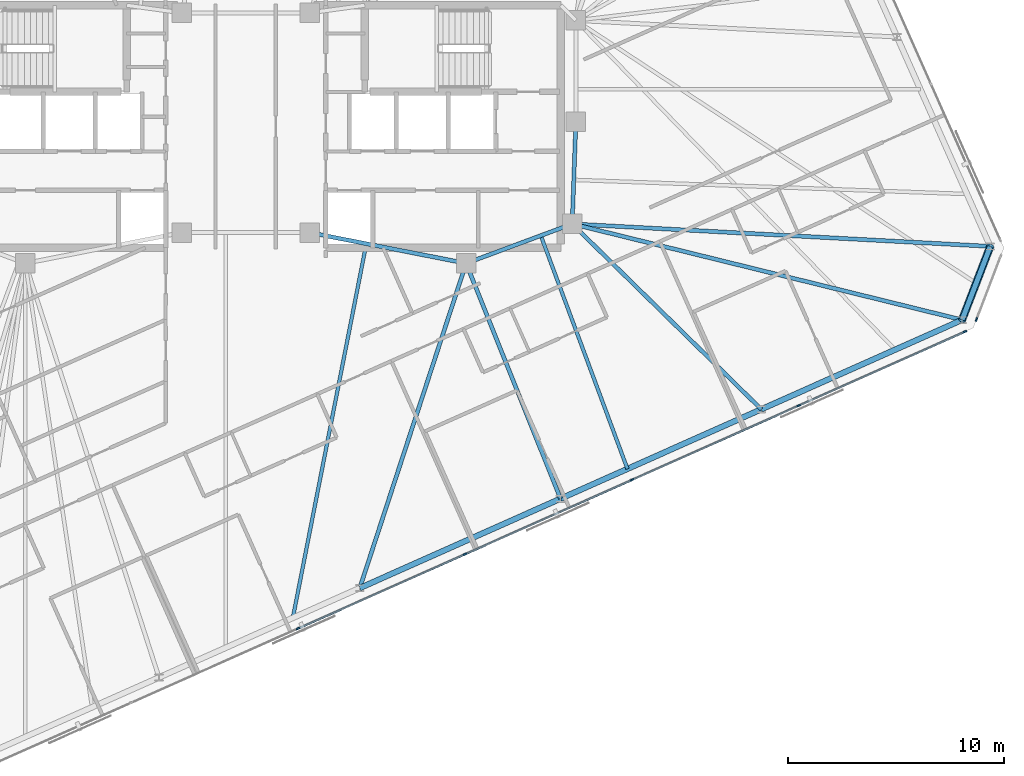
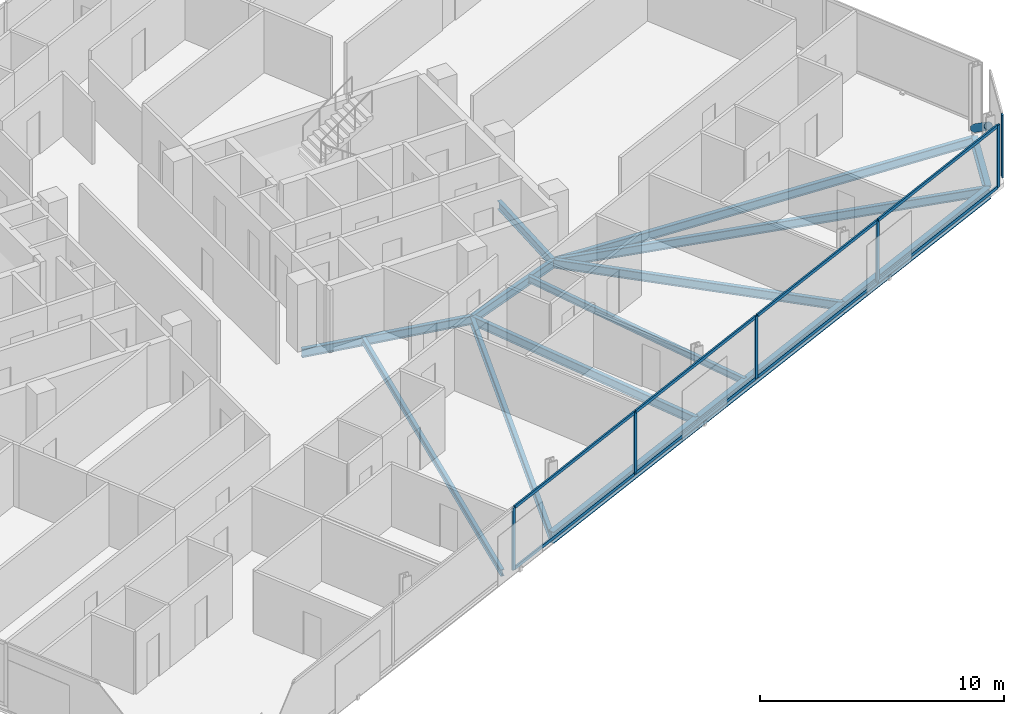
# One storey, part 7 of 19: 15 members, 14 beams, 2 elements without a shape of their own.
"""IFC4 building model written with IfcOpenShell, lengths in metres."""

from ifc_helpers import new_model, si_unit, direction, frame, origin, origin_2d, place, context, subcontext, project, spatial, rectangle, hollow_circle, i_section, extrude, material, material_profile, profile_set, type_object, element, aggregate, save


model = new_model("IFC4")

# Units and contexts
model_context = context("Model", 3, precision=1e-05, world=origin(), true_north=direction((0.0, 1.0)))
body_context = subcontext(model_context, "Body", "Model", "MODEL_VIEW")
ifc_project = project(units=[si_unit("LENGTHUNIT", "METRE"), si_unit("AREAUNIT", "SQUARE_METRE"), si_unit("VOLUMEUNIT", "CUBIC_METRE"), si_unit("PLANEANGLEUNIT", "RADIAN"), si_unit("MASSUNIT", "GRAM", prefix="KILO")], contexts=[model_context])

# Site, building, storey
site_placement = place(None, origin())
site = spatial("IfcSite", under=ifc_project, at=site_placement, CompositionType="ELEMENT")
building_placement = place(site_placement, origin())
building = spatial("IfcBuilding", under=site, at=building_placement, Name="Menara Jurai Vektor", CompositionType="ELEMENT")
storey_placement = place(building_placement, frame((0.0, 0.0, 268.89990234375)))
storey = spatial("IfcBuildingStorey", under=building, at=storey_placement, Name="L72", CompositionType="ELEMENT", Elevation=268.89990234375)

# Curtain wall, members
ifc_material_1 = material(Name="Anodised Pale Aluminium & Low-E Double Glazing", Category="aluminium")
curtain_wall_type = type_object("IfcCurtainWallType", Name="CW-BLK5", PredefinedType="NOTDEFINED", material=ifc_material_1)
curtain_wall_1_placement = place(storey_placement, origin())
curtain_wall_1 = element("IfcCurtainWall", 1, at=curtain_wall_1_placement, inside=storey, type_object=curtain_wall_type, Name="Unitised Curtain Wall L72 F01", PredefinedType="NOTDEFINED")
ifc_material_2 = material(Name="Anodised Pale Aluminium Mullion", Category="aluminium")
ifc_material_profile_1 = material_profile(ifc_material_2, rectangle(XDim=0.074951171875, YDim=0.175048828125, at=origin_2d()), Name="ALU MUL 75x175")
ifc_profile_set_1 = profile_set([ifc_material_profile_1], Name="Anodised Pale Aluminium Mullion")
member_type_1 = type_object("IfcMemberType", Name="CW-BLK5-MUL", PredefinedType="MULLION", material=ifc_profile_set_1)
member_1_placement = place(storey_placement, frame((2.417724609375, -23.190185546875, 0.0), z_axis=(0.0, 0.0, 1.0), x_axis=(-0.406735498684, 0.913545967158, 0.0)))
member_1 = element("IfcMember", 2, at=member_1_placement, type_object=member_type_1, Name="CW-05 mullion 3", PredefinedType="MULLION", context=body_context, shape_type="SweptSolid", body=[
    extrude(rectangle(XDim=0.074951171875, YDim=0.175048828125, at=origin_2d()), origin(), (0.0, 0.0, 1.0), 3.125),
])
member_2_placement = place(storey_placement, frame((10.1279296875, -19.75732421875, 0.0), z_axis=(0.0, 0.0, 1.0), x_axis=(-0.406735498684, 0.913545967158, 0.0)))
member_2 = element("IfcMember", 3, at=member_2_placement, type_object=member_type_1, Name="CW-05 mullion 4", PredefinedType="MULLION", context=body_context, shape_type="SweptSolid", body=[
    extrude(rectangle(XDim=0.074951171875, YDim=0.175048828125, at=origin_2d()), origin(), (0.0, 0.0, 1.0), 3.125),
])
member_3_placement = place(storey_placement, frame((17.83837890625, -16.324462890625, 0.0), z_axis=(0.0, 0.0, 1.0), x_axis=(-0.406735498684, 0.913545967158, 0.0)))
member_3 = element("IfcMember", 4, at=member_3_placement, type_object=member_type_1, Name="CW-05 mullion 5", PredefinedType="MULLION", context=body_context, shape_type="SweptSolid", body=[
    extrude(rectangle(XDim=0.074951171875, YDim=0.175048828125, at=origin_2d()), origin(), (0.0, 0.0, 1.0), 3.125),
])
member_4_placement = place(storey_placement, frame((25.548583984375, -12.8916015625, 0.0), z_axis=(0.0, 0.0, 1.0), x_axis=(-0.406735498684, 0.913545967158, 0.0)))
member_4 = element("IfcMember", 5, at=member_4_placement, type_object=member_type_1, Name="CW-05 mullion 6", PredefinedType="MULLION", context=body_context, shape_type="SweptSolid", body=[
    extrude(rectangle(XDim=0.074951171875, YDim=0.175048828125, at=origin_2d()), origin(), (0.0, 0.0, 1.0), 3.125),
])
member_5_placement = place(storey_placement, frame((33.224853515625, -9.47412109375, 0.0), z_axis=(0.0, 0.0, 1.0), x_axis=(-0.406735498684, 0.913545967158, 0.0)))
member_5 = element("IfcMember", 6, at=member_5_placement, type_object=member_type_1, Name="CW-05 mullion 7", PredefinedType="MULLION", context=body_context, shape_type="SweptSolid", body=[
    extrude(rectangle(XDim=0.074951171875, YDim=0.175048828125, at=origin_2d()), origin(), (0.0, 0.0, 1.0), 3.125),
])

# Curtain wall, member
curtain_wall_2_placement = place(storey_placement, origin())
curtain_wall_2 = element("IfcCurtainWall", 7, at=curtain_wall_2_placement, inside=storey, type_object=curtain_wall_type, Name="Unitised Curtain Wall L72 F02", PredefinedType="NOTDEFINED")
member_6_placement = place(storey_placement, frame((33.755859375, -8.914306640625, 0.0), z_axis=(0.0, 0.0, 1.0), x_axis=(-0.933578193639, 0.358373766287, 0.0)))
member_6 = element("IfcMember", 8, at=member_6_placement, type_object=member_type_1, Name="CW-05 mullion 1", PredefinedType="MULLION", context=body_context, shape_type="SweptSolid", body=[
    extrude(rectangle(XDim=0.074951171875, YDim=0.175048828125, at=origin_2d()), origin(), (0.0, 0.0, 1.0), 3.125),
])
aggregate(curtain_wall_2, [member_6])

# Member
ifc_material_3 = material(Name="Anodised Pale Aluminium Transom", Category="aluminium")
ifc_material_profile_2 = material_profile(ifc_material_3, rectangle(XDim=0.074951171875, YDim=0.155029296875, at=origin_2d()), Name="ALU TRN 75x155")
ifc_profile_set_2 = profile_set([ifc_material_profile_2], Name="Anodised Pale Aluminium Transom")
member_type_2 = type_object("IfcMemberType", Name="CW-BLK5-TRN", PredefinedType="USERDEFINED", material=ifc_profile_set_2)
member_7_placement = place(storey_placement, frame((2.451904296875, -23.175048828125, 0.03759765625), z_axis=(0.913546575494, 0.406734132331, 0.0), x_axis=(-0.406734132331, 0.913546575494, 0.0)))
member_7 = element("IfcMember", 9, at=member_7_placement, type_object=member_type_2, Name="CW-05 transom 3.1", ObjectType="TRANSOM", PredefinedType="USERDEFINED", context=body_context, shape_type="SweptSolid", body=[
    extrude(rectangle(XDim=0.074951171875, YDim=0.155029296875, at=origin_2d()), origin(), (0.0, 0.0, 1.0), 8.364990234375),
])

member_8_placement = place(storey_placement, frame((2.451904296875, -23.175048828125, 3.087646484375), z_axis=(0.913546575494, 0.406734132331, 0.0), x_axis=(-0.406734132331, 0.913546575494, 0.0)))
member_8 = element("IfcMember", 10, at=member_8_placement, type_object=member_type_2, Name="CW-05 transom 3.2", ObjectType="TRANSOM", PredefinedType="USERDEFINED", context=body_context, shape_type="SweptSolid", body=[
    extrude(rectangle(XDim=0.074951171875, YDim=0.155029296875, at=origin_2d()), origin(), (0.0, 0.0, 1.0), 8.364990234375),
])

member_9_placement = place(storey_placement, frame((10.162353515625, -19.7421875, 0.03759765625), z_axis=(0.913541747007, 0.406744977198, 0.0), x_axis=(-0.406744977198, 0.913541747007, 0.0)))
member_9 = element("IfcMember", 11, at=member_9_placement, type_object=member_type_2, Name="CW-05 transom 4.1", ObjectType="TRANSOM", PredefinedType="USERDEFINED", context=body_context, shape_type="SweptSolid", body=[
    extrude(rectangle(XDim=0.074951171875, YDim=0.155029296875, at=origin_2d()), origin(), (0.0, 0.0, 1.0), 8.36474609375),
])

member_10_placement = place(storey_placement, frame((10.162353515625, -19.7421875, 3.087646484375), z_axis=(0.913541747007, 0.406744977198, 0.0), x_axis=(-0.406744977198, 0.913541747007, 0.0)))
member_10 = element("IfcMember", 12, at=member_10_placement, type_object=member_type_2, Name="CW-05 transom 4.2", ObjectType="TRANSOM", PredefinedType="USERDEFINED", context=body_context, shape_type="SweptSolid", body=[
    extrude(rectangle(XDim=0.074951171875, YDim=0.155029296875, at=origin_2d()), origin(), (0.0, 0.0, 1.0), 8.36474609375),
])

member_11_placement = place(storey_placement, frame((17.87255859375, -16.309326171875, 0.03759765625), z_axis=(0.913546575494, 0.406734132331, 0.0), x_axis=(-0.406734132331, 0.913546575494, 0.0)))
member_11 = element("IfcMember", 13, at=member_11_placement, type_object=member_type_2, Name="CW-05 transom 5.1", ObjectType="TRANSOM", PredefinedType="USERDEFINED", context=body_context, shape_type="SweptSolid", body=[
    extrude(rectangle(XDim=0.074951171875, YDim=0.155029296875, at=origin_2d()), origin(), (0.0, 0.0, 1.0), 8.364990234375),
])

member_12_placement = place(storey_placement, frame((17.87255859375, -16.309326171875, 3.087646484375), z_axis=(0.913546575494, 0.406734132331, 0.0), x_axis=(-0.406734132331, 0.913546575494, 0.0)))
member_12 = element("IfcMember", 14, at=member_12_placement, type_object=member_type_2, Name="CW-05 transom 5.2", ObjectType="TRANSOM", PredefinedType="USERDEFINED", context=body_context, shape_type="SweptSolid", body=[
    extrude(rectangle(XDim=0.074951171875, YDim=0.155029296875, at=origin_2d()), origin(), (0.0, 0.0, 1.0), 8.364990234375),
])

member_13_placement = place(storey_placement, frame((25.5830078125, -12.87646484375, 0.03759765625), z_axis=(0.91353811338, 0.406753138159, 0.0), x_axis=(-0.406753138159, 0.91353811338, 0.0)))
member_13 = element("IfcMember", 15, at=member_13_placement, type_object=member_type_2, Name="CW-05 transom 6.1", ObjectType="TRANSOM", PredefinedType="USERDEFINED", context=body_context, shape_type="SweptSolid", body=[
    extrude(rectangle(XDim=0.074951171875, YDim=0.155029296875, at=origin_2d()), origin(), (0.0, 0.0, 1.0), 8.327392578125),
])

member_14_placement = place(storey_placement, frame((25.5830078125, -12.87646484375, 3.087646484375), z_axis=(0.91353811338, 0.406753138159, 0.0), x_axis=(-0.406753138159, 0.91353811338, 0.0)))
member_14 = element("IfcMember", 16, at=member_14_placement, type_object=member_type_2, Name="CW-05 transom 6.2", ObjectType="TRANSOM", PredefinedType="USERDEFINED", context=body_context, shape_type="SweptSolid", body=[
    extrude(rectangle(XDim=0.074951171875, YDim=0.155029296875, at=origin_2d()), origin(), (0.0, 0.0, 1.0), 8.327392578125),
])

aggregate(curtain_wall_1, [member_1, member_2, member_3, member_4, member_5, member_7, member_8, member_9, member_10, member_11, member_12, member_13, member_14])

# Beams
ifc_material_4 = material(Name="Steel S355", Category="steel")
ifc_material_profile_3 = material_profile(ifc_material_4, i_section(OverallWidth=0.18505859375, OverallDepth=0.429931640625, WebThickness=0.010986328125, FlangeThickness=0.01806640625, at=origin_2d()), Name="PG 430x185x76")
ifc_profile_set_3 = profile_set([ifc_material_profile_3], Name="Steel S355")
beam_type_1 = type_object("IfcBeamType", Name="STR-BM-430", PredefinedType="BEAM", material=ifc_profile_set_3)
beam_1_placement = place(storey_placement, frame((15.080078125, -4.5, -0.43994140625), z_axis=(0.035977314146, 0.999352606874, 0.0), x_axis=(-0.999352606874, 0.035977314146, 0.0)))
element("IfcBeam", 17, at=beam_1_placement, inside=storey, type_object=beam_type_1, Name="Core Ring Header Girder L72-CHE-E2", PredefinedType="BEAM", context=body_context, shape_type="SweptSolid", body=[
    extrude(i_section(OverallWidth=0.18505859375, OverallDepth=0.429931640625, WebThickness=0.010986328125, FlangeThickness=0.01806640625, at=origin_2d()), origin(), (0.0, 0.0, 1.0), 4.72314453125),
])
beam_2_placement = place(storey_placement, frame((10.179931640625, -6.320068359375, -0.43994140625), z_axis=(0.937424400887, 0.348188874925, 0.0), x_axis=(-0.348188874925, 0.937424400887, 0.0)))
element("IfcBeam", 18, at=beam_2_placement, inside=storey, type_object=beam_type_1, Name="Core Ring Header Girder L72-CHE-S1", PredefinedType="BEAM", context=body_context, shape_type="SweptSolid", body=[
    extrude(i_section(OverallWidth=0.18505859375, OverallDepth=0.429931640625, WebThickness=0.010986328125, FlangeThickness=0.01806640625, at=origin_2d()), origin(), (0.0, 0.0, 1.0), 5.227294921875),
])
beam_3_placement = place(storey_placement, frame((2.949951171875, -4.89990234375, -0.43994140625), z_axis=(0.981249044334, -0.192744164614, 0.0), x_axis=(0.192744164614, 0.981249044334, 0.0)))
element("IfcBeam", 19, at=beam_3_placement, inside=storey, type_object=beam_type_1, Name="Core Ring Header Girder L72-CHE-S2", PredefinedType="BEAM", context=body_context, shape_type="SweptSolid", body=[
    extrude(i_section(OverallWidth=0.18505859375, OverallDepth=0.429931640625, WebThickness=0.010986328125, FlangeThickness=0.01806640625, at=origin_2d()), origin(), (0.0, 0.0, 1.0), 7.3681640625),
])
beam_4_placement = place(storey_placement, frame((5.267578125, -21.3193359375, -0.43994140625), z_axis=(0.311239486704, 0.950331511587, 0.0), x_axis=(-0.950331511587, 0.311239486704, 0.0)))
element("IfcBeam", 20, at=beam_4_placement, inside=storey, type_object=beam_type_1, Name="Radial Floor Girder L72-S3", PredefinedType="BEAM", context=body_context, shape_type="SweptSolid", body=[
    extrude(i_section(OverallWidth=0.18505859375, OverallDepth=0.429931640625, WebThickness=0.010986328125, FlangeThickness=0.01806640625, at=origin_2d()), origin(), (0.0, 0.0, 1.0), 15.783203125),
])
beam_5_placement = place(storey_placement, frame((14.541015625, -17.1904296875, -0.43994140625), z_axis=(-0.372342852726, 0.928095253745, 0.0), x_axis=(-0.928095253745, -0.372342852726, 0.0)))
element("IfcBeam", 21, at=beam_5_placement, inside=storey, type_object=beam_type_1, Name="Radial Floor Girder L72-S4", PredefinedType="BEAM", context=body_context, shape_type="SweptSolid", body=[
    extrude(i_section(OverallWidth=0.18505859375, OverallDepth=0.429931640625, WebThickness=0.010986328125, FlangeThickness=0.01806640625, at=origin_2d()), origin(), (0.0, 0.0, 1.0), 11.712646484375),
])
beam_6_placement = place(storey_placement, frame((23.814697265625, -13.061767578125, -0.43994140625), z_axis=(-0.714137598149, 0.70000535063, 0.0), x_axis=(-0.70000535063, -0.714137598149, 0.0)))
element("IfcBeam", 22, at=beam_6_placement, inside=storey, type_object=beam_type_1, Name="Radial Floor Girder L72-S5", PredefinedType="BEAM", context=body_context, shape_type="SweptSolid", body=[
    extrude(i_section(OverallWidth=0.18505859375, OverallDepth=0.429931640625, WebThickness=0.010986328125, FlangeThickness=0.01806640625, at=origin_2d()), origin(), (0.0, 0.0, 1.0), 12.23095703125),
])
beam_7_placement = place(storey_placement, frame((33.088134765625, -8.932861328125, -0.43994140625), z_axis=(-0.971013515776, 0.239024584888, 0.0), x_axis=(-0.239024584888, -0.971013515776, 0.0)))
element("IfcBeam", 23, at=beam_7_placement, inside=storey, type_object=beam_type_1, Name="Radial Floor Girder L72-S6", PredefinedType="BEAM", context=body_context, shape_type="SweptSolid", body=[
    extrude(i_section(OverallWidth=0.18505859375, OverallDepth=0.429931640625, WebThickness=0.010986328125, FlangeThickness=0.01806640625, at=origin_2d()), origin(), (0.0, 0.0, 1.0), 18.545654296875),
])
beam_8_placement = place(storey_placement, frame((34.3916015625, -5.536865234375, -0.43994140625), z_axis=(-0.998561718759, 0.053614306189, 0.0), x_axis=(-0.053614306189, -0.998561718759, 0.0)))
element("IfcBeam", 24, at=beam_8_placement, inside=storey, type_object=beam_type_1, Name="Radial Floor Girder L72-E1", PredefinedType="BEAM", context=body_context, shape_type="SweptSolid", body=[
    extrude(i_section(OverallWidth=0.18505859375, OverallDepth=0.429931640625, WebThickness=0.010986328125, FlangeThickness=0.01806640625, at=origin_2d()), origin(), (0.0, 0.0, 1.0), 19.33935546875),
])

# Member
ifc_material_5 = material(Name="Steel S460", Category="steel")
ifc_material_profile_4 = material_profile(ifc_material_5, hollow_circle(Radius=0.177734375, WallThickness=0.01611328125, at=origin_2d()), Name="CHS 355.6x16")
ifc_profile_set_4 = profile_set([ifc_material_profile_4], Name="Steel S460")
member_type_3 = type_object("IfcMemberType", Name="STR-BR-356", PredefinedType="BRACE", material=ifc_profile_set_4)
member_15_placement = place(storey_placement, frame((34.3916015625, -5.536865234375, 0.150146484375), z_axis=(-0.290575939475, -0.757054002265, 0.585179340931), x_axis=(0.933592747566, -0.358335850414, 0.0)))
element("IfcMember", 25, at=member_15_placement, inside=storey, type_object=member_type_3, Name="Exoskeleton Corner Brace L72-1", PredefinedType="BRACE", context=body_context, shape_type="SweptSolid", body=[
    extrude(hollow_circle(Radius=0.177734375, WallThickness=0.01611328125, at=origin_2d()), origin(), (0.0, 0.0, 1.0), 4.48583984375),
])

# Beams
ifc_material_profile_5 = material_profile(ifc_material_4, i_section(OverallWidth=0.1650390625, OverallDepth=0.330078125, WebThickness=0.009033203125, FlangeThickness=0.013916015625, at=origin_2d()), Name="PG 330x165x46")
ifc_profile_set_5 = profile_set([ifc_material_profile_5], Name="Steel S355")
beam_type_2 = type_object("IfcBeamType", Name="STR-JS-330", PredefinedType="JOIST", material=ifc_profile_set_5)
beam_9_placement = place(storey_placement, frame((2.176513671875, -22.695556640625, -0.389892578125), z_axis=(0.192710503651, 0.981255655669, 0.0), x_axis=(-0.981255655669, 0.192710503651, 0.0)))
element("IfcBeam", 26, at=beam_9_placement, inside=storey, type_object=beam_type_2, Name="Radial Secondary Floor Joist L72-JS04", PredefinedType="JOIST", context=body_context, shape_type="SweptSolid", body=[
    extrude(i_section(OverallWidth=0.1650390625, OverallDepth=0.330078125, WebThickness=0.009033203125, FlangeThickness=0.013916015625, at=origin_2d()), origin(), (0.0, 0.0, 1.0), 17.61083984375),
])
beam_10_placement = place(storey_placement, frame((17.632080078125, -15.814208984375, -0.389892578125), z_axis=(-0.348172664726, 0.937430421705, 0.0), x_axis=(-0.937430421705, -0.348172664726, 0.0)))
element("IfcBeam", 27, at=beam_10_placement, inside=storey, type_object=beam_type_2, Name="Radial Secondary Floor Joist L72-JS05", PredefinedType="JOIST", context=body_context, shape_type="SweptSolid", body=[
    extrude(i_section(OverallWidth=0.1650390625, OverallDepth=0.330078125, WebThickness=0.009033203125, FlangeThickness=0.013916015625, at=origin_2d()), origin(), (0.0, 0.0, 1.0), 11.494873046875),
])
ifc_material_profile_6 = material_profile(ifc_material_4, i_section(OverallWidth=0.260009765625, OverallDepth=0.570068359375, WebThickness=0.013916015625, FlangeThickness=0.02392578125, at=origin_2d()), Name="PG 570x260x145")
ifc_profile_set_6 = profile_set([ifc_material_profile_6], Name="Steel S355")
beam_type_3 = type_object("IfcBeamType", Name="STR-SP-570", PredefinedType="SPANDREL", material=ifc_profile_set_6)
for number, where, z_axis, x_axis, name in (
    (28, (5.267578125, -21.3193359375, -0.510009765625), (0.913541582548, 0.406745346568, 0.0), (-0.406745346568, 0.913541582548, 0.0), "Exoskeleton Spandrel Beam L72-03"),
    (29, (14.541015625, -17.1904296875, -0.510009765625), (0.913554497648, 0.406716338284, 0.0), (-0.406716338284, 0.913554497648, 0.0), "Exoskeleton Spandrel Beam L72-04"),
    (30, (23.814697265625, -13.061767578125, -0.510009765625), (0.913541582548, 0.406745346568, 0.0), (-0.406745346568, 0.913541582548, 0.0), "Exoskeleton Spandrel Beam L72-05"),
):
    element("IfcBeam", number, at=place(storey_placement, frame(where, z_axis=z_axis, x_axis=x_axis)), inside=storey, type_object=beam_type_3, Name=name, PredefinedType="SPANDREL", context=body_context, shape_type="SweptSolid", body=[
        extrude(i_section(OverallWidth=0.260009765625, OverallDepth=0.570068359375, WebThickness=0.013916015625, FlangeThickness=0.02392578125, at=origin_2d()), origin(), (0.0, 0.0, 1.0), 10.151123046875),
    ])
beam_11_placement = place(storey_placement, frame((33.088134765625, -8.932861328125, -0.510009765625), z_axis=(0.358335850414, 0.933592747566, 0.0), x_axis=(-0.933592747566, 0.358335850414, 0.0)))
element("IfcBeam", 31, at=beam_11_placement, inside=storey, type_object=beam_type_3, Name="Exoskeleton Spandrel Beam L72-06", PredefinedType="SPANDREL", context=body_context, shape_type="SweptSolid", body=[
    extrude(i_section(OverallWidth=0.260009765625, OverallDepth=0.570068359375, WebThickness=0.013916015625, FlangeThickness=0.02392578125, at=origin_2d()), origin(), (0.0, 0.0, 1.0), 3.637451171875),
])

save(model, "model.ifc")
